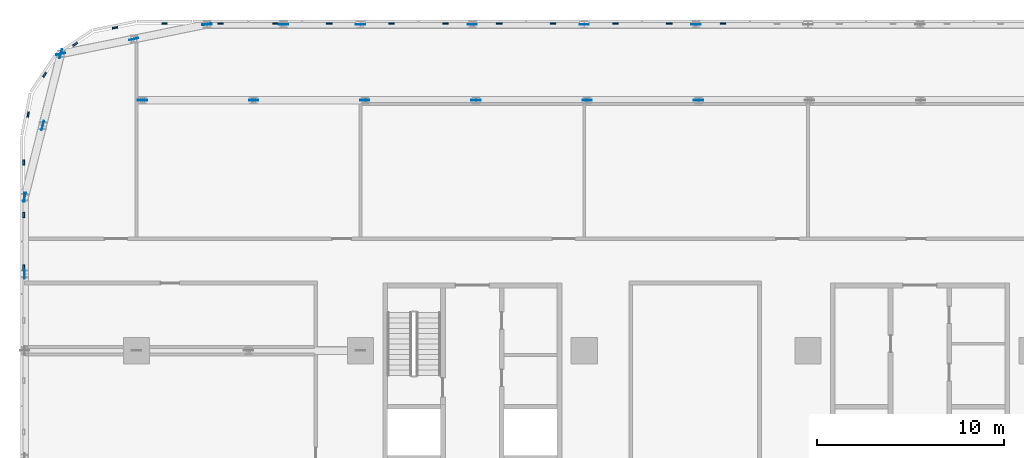
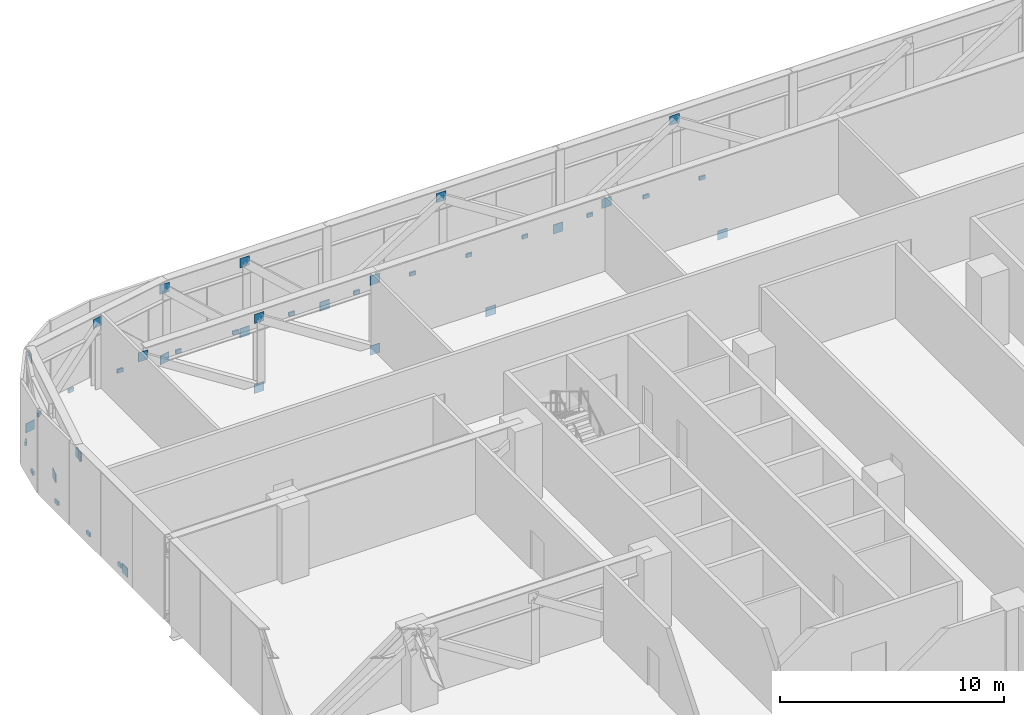
# One storey, part 16 of 26: 41 discrete accessories.
"""IFC4 building model written with IfcOpenShell, lengths in metres."""

from ifc_helpers import new_model, si_unit, direction, frame, origin, origin_2d, place, context, subcontext, project, spatial, rectangle, extrude, material, layer, layer_set, type_object, element, save


model = new_model("IFC4")

# Units and contexts
model_context = context("Model", 3, precision=1e-05, world=origin(), true_north=direction((0.0, 1.0)))
body_context = subcontext(model_context, "Body", "Model", "MODEL_VIEW")
ifc_project = project(units=[si_unit("LENGTHUNIT", "METRE"), si_unit("AREAUNIT", "SQUARE_METRE"), si_unit("VOLUMEUNIT", "CUBIC_METRE"), si_unit("PLANEANGLEUNIT", "RADIAN"), si_unit("MASSUNIT", "GRAM", prefix="KILO")], contexts=[model_context])

# Site, building, storey
site_placement = place(None, origin())
site = spatial("IfcSite", under=ifc_project, at=site_placement, CompositionType="ELEMENT")
building_placement = place(site_placement, origin())
building = spatial("IfcBuilding", under=site, at=building_placement, Name="Mahtab Terrace Research Tower", CompositionType="ELEMENT")
storey_placement = place(building_placement, frame((0.0, 0.0, 117.60009765625)))
storey = spatial("IfcBuildingStorey", under=building, at=storey_placement, Name="L27", CompositionType="ELEMENT", Elevation=117.60009765625)

# Discrete accessories
ifc_material_1 = material(Name="Black anodised aluminium", Category="aluminium")
discrete_accessory_type_1 = type_object("IfcDiscreteAccessoryType", Name="Facade bracket", PredefinedType="BRACKET", material=ifc_material_1)
for number, where, z_axis, x_axis, name in (
    (1, (-10.556884765625, 29.044921875, -0.30029296875), (0.0, 0.0, 1.0), (-1.0, 0.0, 0.0), "Louvre bracket L27 41"),
    (2, (-13.443115234375, 29.044921875, -0.30029296875), (0.0, 0.0, 1.0), (-1.0, 0.0, 0.0), "Louvre bracket L27 42"),
    (3, (-16.3291015625, 29.044921875, -0.30029296875), (0.0, 0.0, 1.0), (-1.0, 0.0, 0.0), "Louvre bracket L27 43"),
    (4, (-19.6708984375, 29.044921875, -0.30029296875), (0.0, 0.0, 1.0), (-1.0, 0.0, 0.0), "Louvre bracket L27 44"),
    (5, (-22.556884765625, 29.044921875, -0.30029296875), (0.0, 0.0, 1.0), (-1.0, 0.0, 0.0), "Louvre bracket L27 45"),
    (6, (-25.443115234375, 29.044921875, -0.30029296875), (0.0, 0.0, 1.0), (-1.0, 0.0, 0.0), "Louvre bracket L27 46"),
    (7, (-28.3291015625, 29.044921875, -0.30029296875), (0.0, 0.0, 1.0), (-1.0, 0.0, 0.0), "Louvre bracket L27 47"),
    (8, (-31.6708984375, 29.044921875, -0.30029296875), (0.0, 0.0, 1.0), (-1.0, 0.0, 0.0), "Louvre bracket L27 48"),
    (9, (-34.556884765625, 29.044921875, -0.30029296875), (0.0, 0.0, 1.0), (-1.0, 0.0, 0.0), "Louvre bracket L27 49"),
    (10, (-37.5, 29.044921875, -0.30029296875), (0.0, 0.0, 1.0), (-1.0, 0.0, 0.0), "Louvre bracket L27 50"),
    (11, (-40.5, 29.044921875, -0.30029296875), (0.0, 0.0, 1.0), (-1.0, 0.0, 0.0), "Louvre bracket L27 51"),
    (12, (-43.15673828125, 28.815673828125, -0.30029296875), (0.0, 0.0, 1.0), (-0.980760981187, -0.195212442692, 0.0), "Louvre bracket L27 52"),
    (13, (-45.29443359375, 27.930419921875, -0.30029296875), (0.0, 0.0, 1.0), (-0.831655794326, -0.555291490808, 0.0), "Louvre bracket L27 53"),
    (14, (-46.930419921875, 26.29443359375, -0.30029296875), (0.0, 0.0, 1.0), (-0.555291490808, -0.831655794326, 0.0), "Louvre bracket L27 54"),
    (15, (-47.815673828125, 24.15673828125, -0.30029296875), (0.0, 0.0, 1.0), (-0.195212442692, -0.980760981187, 0.0), "Louvre bracket L27 55"),
    (16, (-48.044921875, 21.58984375, -0.30029296875), (0.0, 0.0, 1.0), (0.0, -1.0, 0.0), "Louvre bracket L27 56"),
    (17, (-48.044921875, 18.769287109375, -0.30029296875), (0.0, 0.0, 1.0), (0.0, -1.0, 0.0), "Louvre bracket L27 57"),
    (18, (-48.044921875, 15.94873046875, -0.30029296875), (0.0, 0.0, 1.0), (0.0, -1.0, 0.0), "Louvre bracket L27 58"),
):
    element("IfcDiscreteAccessory", number, at=place(storey_placement, frame(where, z_axis=z_axis, x_axis=x_axis)), inside=storey, type_object=discrete_accessory_type_1, Name=name, PredefinedType="BRACKET", context=body_context, shape_type="SweptSolid", body=[
        extrude(rectangle(XDim=0.300048828125, YDim=0.090087890625, at=origin_2d()), origin(), (0.0, 0.0, 1.0), 0.199951171875),
    ])
ifc_material_2 = material(Name="Steel ASTM A992 Gr 50", Category="steel")
ifc_layer = layer(ifc_material_2, 0.030029296875)
ifc_layer_set = layer_set([ifc_layer], Name="Gusset plate 500x500x30")
discrete_accessory_type_2 = type_object("IfcDiscreteAccessoryType", Name="Gusset plate 500x500x30", PredefinedType="USERDEFINED", material=ifc_layer_set)
for number, where, z_axis, x_axis, name in (
    (19, (-41.681884765625, 24.927001953125, 3.251220703125), (0.0, 0.0, 1.0), (1.0, 0.0, 0.0), "Gusset plate"),
    (20, (-38.23095703125, 29.0, 3.251220703125), (0.0, 0.0, 1.0), (1.0, 0.0, 0.0), "Gusset plate"),
    (21, (-35.721923828125, 24.927001953125, -0.558837890625), (0.0, 0.0, 1.0), (1.0, 0.0, 0.0), "Gusset plate"),
    (22, (-35.721923828125, 24.927001953125, 3.251220703125), (0.0, 0.0, 1.0), (1.0, 0.0, 0.0), "Gusset plate"),
    (23, (-34.114990234375, 29.0, -0.558837890625), (0.0, 0.0, 1.0), (1.0, 0.0, 0.0), "Gusset plate"),
    (24, (-34.114990234375, 29.0, 3.251220703125), (0.0, 0.0, 1.0), (1.0, 0.0, 0.0), "Gusset plate"),
    (25, (-30.0, 29.0, -0.558837890625), (0.0, 0.0, 1.0), (1.0, 0.0, 0.0), "Gusset plate"),
    (26, (-29.761962890625, 24.927001953125, -0.558837890625), (0.0, 0.0, 1.0), (1.0, 0.0, 0.0), "Gusset plate"),
    (27, (-29.761962890625, 24.927001953125, 3.251220703125), (0.0, 0.0, 1.0), (1.0, 0.0, 0.0), "Gusset plate"),
    (28, (-24.0, 29.0, 3.251220703125), (0.0, 0.0, 1.0), (1.0, 0.0, 0.0), "Gusset plate"),
    (29, (-23.801025390625, 24.927001953125, -0.558837890625), (0.0, 0.0, 1.0), (1.0, 0.0, 0.0), "Gusset plate"),
    (30, (-18.0, 29.0, -0.558837890625), (0.0, 0.0, 1.0), (1.0, 0.0, 0.0), "Gusset plate"),
    (31, (-17.841064453125, 24.927001953125, 3.251220703125), (0.0, 0.0, 1.0), (1.0, 0.0, 0.0), "Gusset plate"),
    (32, (-12.0, 29.0, 3.251220703125), (0.0, 0.0, 1.0), (1.0, 0.0, 0.0), "Gusset plate"),
    (33, (-11.881103515625, 24.927001953125, -0.558837890625), (0.0, 0.0, 1.0), (1.0, 0.0, 0.0), "Gusset plate"),
    (34, (-46.06201171875, 27.416015625, -0.558837890625), (0.0, 0.0, 1.0), (0.980143328693, 0.198290330625, 0.0), "Gusset plate"),
    (35, (-42.14697265625, 28.2080078125, 3.251220703125), (0.0, 0.0, 1.0), (0.980143328693, 0.198290330625, 0.0), "Gusset plate"),
    (36, (-38.23095703125, 29.0, -0.558837890625), (0.0, 0.0, 1.0), (0.980153709806, 0.198239010169, 0.0), "Gusset plate"),
    (37, (-48.0, 19.73095703125, 3.251220703125), (0.0, 0.0, 1.0), (0.244495139254, 0.969650517909, 0.0), "Gusset plate"),
    (38, (-47.031005859375, 23.573974609375, -0.558837890625), (0.0, 0.0, 1.0), (0.244495139254, 0.969650517909, 0.0), "Gusset plate"),
    (39, (-46.06201171875, 27.416015625, 3.251220703125), (0.0, 0.0, 1.0), (0.244545909701, 0.969637714844, 0.0), "Gusset plate"),
    (40, (-48.0, 15.615966796875, -0.558837890625), (0.0, 0.0, 1.0), (0.0, 1.0, 0.0), "Gusset plate"),
    (41, (-48.0, 19.73095703125, 3.251220703125), (0.0, 0.0, 1.0), (0.0, 1.0, 0.0), "Gusset plate"),
):
    element("IfcDiscreteAccessory", number, at=place(storey_placement, frame(where, z_axis=z_axis, x_axis=x_axis)), inside=storey, type_object=discrete_accessory_type_2, Name=name, ObjectType="GUSSET PLATE", PredefinedType="USERDEFINED", context=body_context, shape_type="SweptSolid", body=[
        extrude(rectangle(XDim=0.5, YDim=0.030029296875, at=origin_2d()), origin(), (0.0, 0.0, 1.0), 0.5),
    ])

save(model, "model.ifc")
